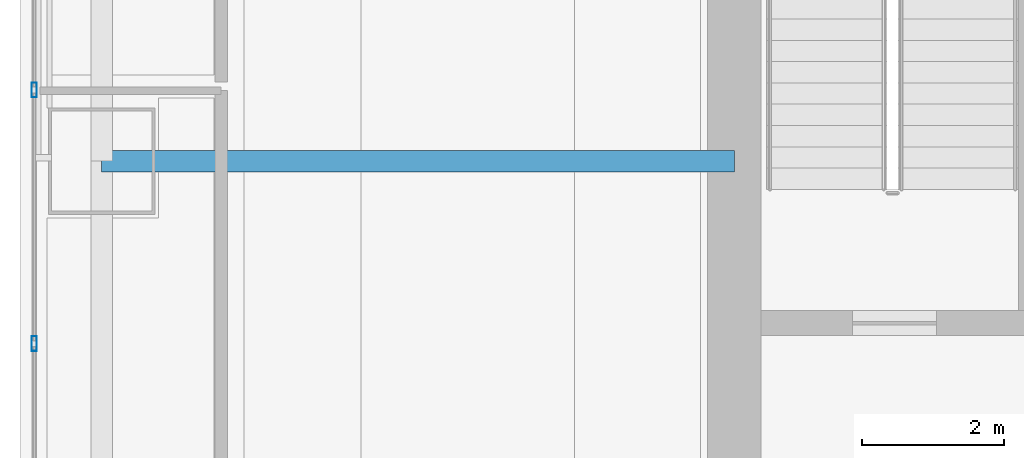
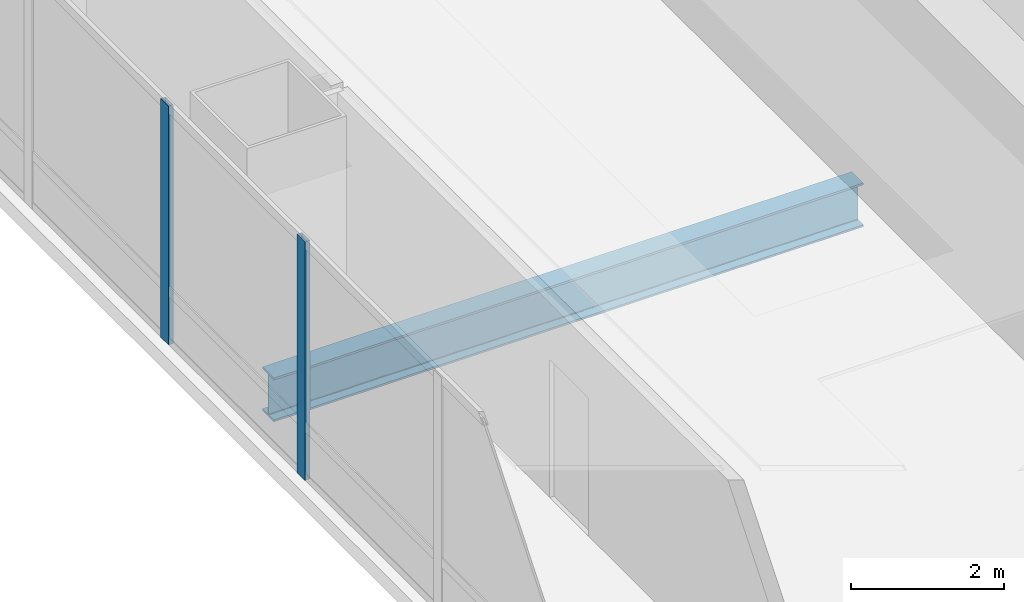
# One storey, part 8 of 35: 2 members, 1 beam, 1 element without a shape of its own.
"""IFC4 building model written with IfcOpenShell, lengths in metres."""

from ifc_helpers import new_model, si_unit, direction, frame, origin, origin_2d, place, context, subcontext, project, spatial, hollow_rectangle, i_section, extrude, material, material_profile, profile_set, type_object, element, aggregate, save


model = new_model("IFC4")

# Units and contexts
model_context = context("Model", 3, precision=1e-05, world=origin(), true_north=direction((0.0, 1.0)))
body_context = subcontext(model_context, "Body", "Model", "MODEL_VIEW")
ifc_project = project(units=[si_unit("LENGTHUNIT", "METRE"), si_unit("AREAUNIT", "SQUARE_METRE"), si_unit("VOLUMEUNIT", "CUBIC_METRE"), si_unit("PLANEANGLEUNIT", "RADIAN"), si_unit("MASSUNIT", "GRAM", prefix="KILO")], contexts=[model_context])

# Site, building, storey
site_placement = place(None, origin())
site = spatial("IfcSite", under=ifc_project, at=site_placement, CompositionType="ELEMENT")
building_placement = place(site_placement, origin())
building = spatial("IfcBuilding", under=site, at=building_placement, Name="Punatoya Terracotta Tower", CompositionType="ELEMENT")
storey_placement = place(building_placement, frame((0.0, 0.0, 68.699951171875)))
storey = spatial("IfcBuildingStorey", under=building, at=storey_placement, Name="L15", CompositionType="ELEMENT", Elevation=68.699951171875)

# Beam
ifc_material_1 = material(Name="Steel S355", Category="steel")
ifc_material_profile_1 = material_profile(ifc_material_1, i_section(OverallWidth=0.300048828125, OverallDepth=0.699951171875, WebThickness=0.01708984375, FlangeThickness=0.031982421875, FilletRadius=0.01806640625, at=origin_2d()))
ifc_profile_set_1 = profile_set([ifc_material_profile_1], Name="Steel S355")
beam_type = type_object("IfcBeamType", Name="BM-PRI-700", PredefinedType="BEAM", material=ifc_profile_set_1)
beam_placement = place(storey_placement, frame((-19.10009765625, -3.39990234375, -0.58984375), z_axis=(1.0, 0.0, 0.0), x_axis=(0.0, 1.0, 0.0)))
element("IfcBeam", 1, at=beam_placement, inside=storey, type_object=beam_type, Name="BM-L15-PR-WD", PredefinedType="BEAM", context=body_context, shape_type="SweptSolid", body=[
    extrude(i_section(OverallWidth=0.300048828125, OverallDepth=0.699951171875, WebThickness=0.01708984375, FlangeThickness=0.031982421875, FilletRadius=0.01806640625, at=origin_2d()), origin(), (0.0, 0.0, 1.0), 8.900146484375),
])

# Curtain wall, members
ifc_material_2 = material(Name="Aluminium 6063-T6 + Double Low-E Glass", Category="aluminium")
curtain_wall_type = type_object("IfcCurtainWallType", Name="CW-M1", PredefinedType="NOTDEFINED", material=ifc_material_2)
curtain_wall_placement = place(storey_placement, origin())
curtain_wall = element("IfcCurtainWall", 2, at=curtain_wall_placement, inside=storey, type_object=curtain_wall_type, Name="L15 Curtain Wall CW-L15-W13-1", PredefinedType="NOTDEFINED")
ifc_material_3 = material(Name="Aluminium 6063-T6", Category="aluminium")
ifc_material_profile_2 = material_profile(ifc_material_3, hollow_rectangle(XDim=0.074951171875, YDim=0.2099609375, WallThickness=0.00439453125, at=origin_2d()))
ifc_profile_set_2 = profile_set([ifc_material_profile_2], Name="Aluminium 6063-T6")
member_type = type_object("IfcMemberType", Name="CW-MUL-M1", PredefinedType="MULLION", material=ifc_profile_set_2)
member_1_placement = place(storey_placement, frame((-20.050048828125, -2.39990234375, 0.0), z_axis=(0.0, 0.0, 1.0), x_axis=(1.0, 0.0, 0.0)))
member_1 = element("IfcMember", 3, at=member_1_placement, type_object=member_type, Name="CW-L15-W13-1 Mullion 05", PredefinedType="MULLION", context=body_context, shape_type="SweptSolid", body=[
    extrude(hollow_rectangle(XDim=0.074951171875, YDim=0.2099609375, WallThickness=0.00439453125, at=origin_2d()), origin(), (0.0, 0.0, 1.0), 3.81005859375),
])
member_2_placement = place(storey_placement, frame((-20.050048828125, -5.96728515625, 0.0), z_axis=(0.0, 0.0, 1.0), x_axis=(1.0, 0.0, 0.0)))
member_2 = element("IfcMember", 4, at=member_2_placement, type_object=member_type, Name="CW-L15-W13-1 Mullion 06", PredefinedType="MULLION", context=body_context, shape_type="SweptSolid", body=[
    extrude(hollow_rectangle(XDim=0.074951171875, YDim=0.2099609375, WallThickness=0.00439453125, at=origin_2d()), origin(), (0.0, 0.0, 1.0), 3.81005859375),
])
aggregate(curtain_wall, [member_1, member_2])

save(model, "model.ifc")
